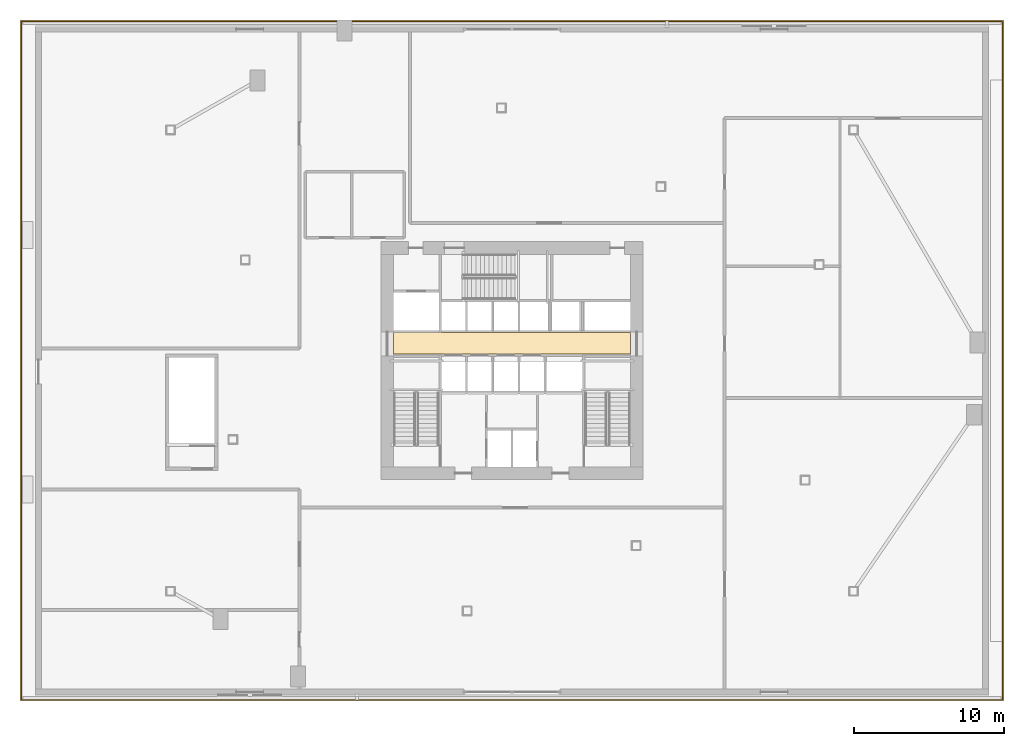
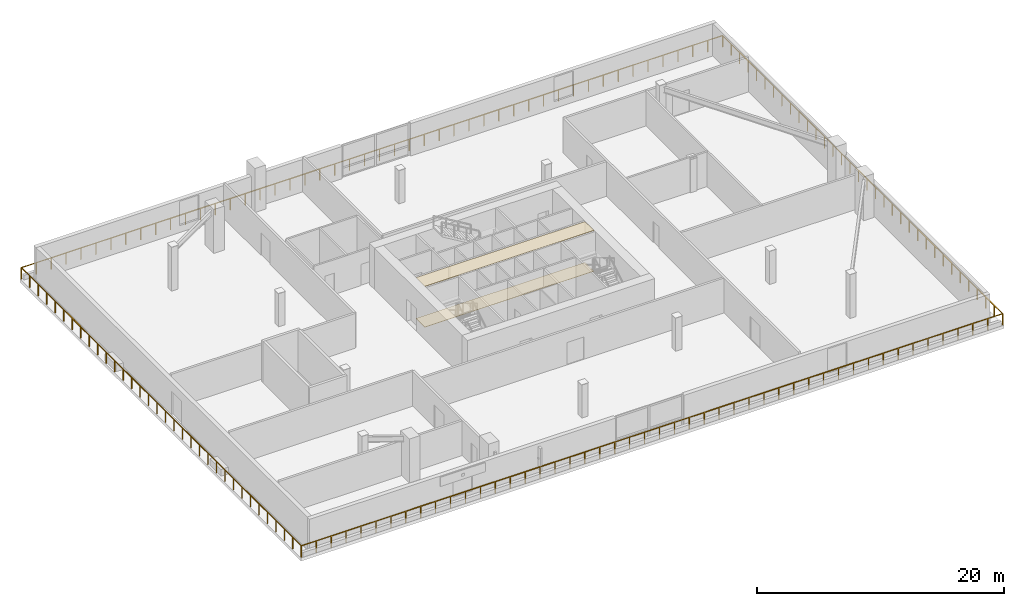
# One storey, part 14 of 16: 2 coverings, 2 railings.
"""IFC4 building model written with IfcOpenShell, lengths in metres."""

from ifc_helpers import new_model, si_unit, direction, frame, origin, origin_2d, place, context, subcontext, project, spatial, polyline, rectangle, outline, extrude, material, layer, layer_set, type_object, element, save


model = new_model("IFC4")

# Units and contexts
model_context = context("Model", 3, precision=1e-05, world=origin(), true_north=direction((0.0, 1.0)))
body_context = subcontext(model_context, "Body", "Model", "MODEL_VIEW")
ifc_project = project(units=[si_unit("LENGTHUNIT", "METRE"), si_unit("AREAUNIT", "SQUARE_METRE"), si_unit("VOLUMEUNIT", "CUBIC_METRE"), si_unit("PLANEANGLEUNIT", "RADIAN"), si_unit("MASSUNIT", "GRAM", prefix="KILO")], contexts=[model_context])

# Site, building, storey
site_placement = place(None, origin())
site = spatial("IfcSite", under=ifc_project, at=site_placement, CompositionType="ELEMENT")
building_placement = place(site_placement, origin())
building = spatial("IfcBuilding", under=site, at=building_placement, Name="Olszyna Solenne Hotel", CompositionType="ELEMENT")
storey_placement = place(building_placement, frame((0.0, 0.0, 20.10009765625)))
storey = spatial("IfcBuildingStorey", under=building, at=storey_placement, Name="L04", CompositionType="ELEMENT", Elevation=20.10009765625)

# Coverings
ifc_material_1 = material(Name="Mineral wool acoustic ceiling")
ifc_layer_1 = layer(ifc_material_1, 0.0400390625, Name="Mineral wool acoustic ceiling")
ifc_layer_set_1 = layer_set([ifc_layer_1], Name="Mineral wool acoustic ceiling")
covering_type_1 = type_object("IfcCoveringType", Name="CL-AC1", PredefinedType="CEILING", material=ifc_layer_set_1)
covering_1_placement = place(storey_placement, frame((0.0, 0.0, 4.02001953125)))
element("IfcCovering", 1, at=covering_1_placement, inside=storey, type_object=covering_type_1, Name="Lift lobby acoustic tile ceiling CL-L04-01", PredefinedType="CEILING", context=body_context, shape_type="SweptSolid", body=[
    extrude(outline(polyline([(30.10009765625, 27.030029296875), (45.89990234375, 27.030029296875), (45.89990234375, 28.4599609375), (30.10009765625, 28.4599609375), (30.10009765625, 27.030029296875)])), origin(), (0.0, 0.0, 1.0), 0.039794921875),
])
ifc_material_2 = material(Name="Ceramic floor tile")
ifc_layer_2 = layer(ifc_material_2, 0.030029296875, Name="Ceramic floor tile")
ifc_layer_set_2 = layer_set([ifc_layer_2], Name="Ceramic floor tile")
covering_type_2 = type_object("IfcCoveringType", Name="FL-TL1", PredefinedType="FLOORING", material=ifc_layer_set_2)
covering_2_placement = place(storey_placement, origin())
element("IfcCovering", 2, at=covering_2_placement, inside=storey, type_object=covering_type_2, Name="Lift lobby stoneware floor finish FLR-L04-01", PredefinedType="FLOORING", context=body_context, shape_type="SweptSolid", body=[
    extrude(outline(polyline([(30.10009765625, 27.030029296875), (45.89990234375, 27.030029296875), (45.89990234375, 28.4599609375), (30.10009765625, 28.4599609375), (30.10009765625, 27.030029296875)])), origin(), (0.0, 0.0, 1.0), 0.02978515625),
])

# Railings
ifc_material_3 = material(Name="Steel S355J2", Category="steel")
railing_type = type_object("IfcRailingType", Name="GR-115", PredefinedType="BALUSTRADE", material=ifc_material_3)
railing_1_placement = place(storey_placement, frame((5.22998046875, 49.260009765625, 0.0)))
element("IfcRailing", 3, at=railing_1_placement, inside=storey, type_object=railing_type, Name="Garden terrace perimeter guard balustrade GR-L04-T11", PredefinedType="BALUSTRADE", context=body_context, shape_type="SweptSolid", body=[
    extrude(rectangle(XDim=0.048095703125, YDim=0.048095703125, at=origin_2d()), frame((0.0, 0.0, 1.1259765625), z_axis=(1.0, 0.0, 0.0), x_axis=(0.0, 1.0, 0.0)), (0.0, 0.0, 1.0), 65.5400390625),
    extrude(rectangle(XDim=0.048095703125, YDim=0.048095703125, at=origin_2d()), frame((65.5400390625, 0.0, 1.1259765625), z_axis=(0.0, -1.0, 0.0), x_axis=(1.0, 0.0, 0.0)), (0.0, 0.0, 1.0), 45.320068359375),
    extrude(rectangle(XDim=0.0419921875, YDim=0.0419921875, at=origin_2d()), origin(), (0.0, 0.0, 1.0), 1.101806640625),
    extrude(rectangle(XDim=0.0419921875, YDim=0.0419921875, at=origin_2d()), frame((1.39453125, 0.0, 0.0)), (0.0, 0.0, 1.0), 1.101806640625),
    extrude(rectangle(XDim=0.0419921875, YDim=0.0419921875, at=origin_2d()), frame((2.788818359375, 0.0, 0.0)), (0.0, 0.0, 1.0), 1.101806640625),
    extrude(rectangle(XDim=0.0419921875, YDim=0.0419921875, at=origin_2d()), frame((4.183349609375, 0.0, 0.0)), (0.0, 0.0, 1.0), 1.101806640625),
    extrude(rectangle(XDim=0.0419921875, YDim=0.0419921875, at=origin_2d()), frame((5.577880859375, 0.0, 0.0)), (0.0, 0.0, 1.0), 1.101806640625),
    extrude(rectangle(XDim=0.0419921875, YDim=0.0419921875, at=origin_2d()), frame((6.972412109375, 0.0, 0.0)), (0.0, 0.0, 1.0), 1.101806640625),
    extrude(rectangle(XDim=0.0419921875, YDim=0.0419921875, at=origin_2d()), frame((8.36669921875, 0.0, 0.0)), (0.0, 0.0, 1.0), 1.101806640625),
    extrude(rectangle(XDim=0.0419921875, YDim=0.0419921875, at=origin_2d()), frame((9.76123046875, 0.0, 0.0)), (0.0, 0.0, 1.0), 1.101806640625),
    extrude(rectangle(XDim=0.0419921875, YDim=0.0419921875, at=origin_2d()), frame((11.15576171875, 0.0, 0.0)), (0.0, 0.0, 1.0), 1.101806640625),
    extrude(rectangle(XDim=0.0419921875, YDim=0.0419921875, at=origin_2d()), frame((12.55029296875, 0.0, 0.0)), (0.0, 0.0, 1.0), 1.101806640625),
    extrude(rectangle(XDim=0.0419921875, YDim=0.0419921875, at=origin_2d()), frame((13.944580078125, 0.0, 0.0)), (0.0, 0.0, 1.0), 1.101806640625),
    extrude(rectangle(XDim=0.0419921875, YDim=0.0419921875, at=origin_2d()), frame((15.339111328125, 0.0, 0.0)), (0.0, 0.0, 1.0), 1.101806640625),
    extrude(rectangle(XDim=0.0419921875, YDim=0.0419921875, at=origin_2d()), frame((16.733642578125, 0.0, 0.0)), (0.0, 0.0, 1.0), 1.101806640625),
    extrude(rectangle(XDim=0.0419921875, YDim=0.0419921875, at=origin_2d()), frame((18.128173828125, 0.0, 0.0)), (0.0, 0.0, 1.0), 1.101806640625),
    extrude(rectangle(XDim=0.0419921875, YDim=0.0419921875, at=origin_2d()), frame((19.5224609375, 0.0, 0.0)), (0.0, 0.0, 1.0), 1.101806640625),
    extrude(rectangle(XDim=0.0419921875, YDim=0.0419921875, at=origin_2d()), frame((20.9169921875, 0.0, 0.0)), (0.0, 0.0, 1.0), 1.101806640625),
    extrude(rectangle(XDim=0.0419921875, YDim=0.0419921875, at=origin_2d()), frame((22.3115234375, 0.0, 0.0)), (0.0, 0.0, 1.0), 1.101806640625),
    extrude(rectangle(XDim=0.0419921875, YDim=0.0419921875, at=origin_2d()), frame((23.7060546875, 0.0, 0.0)), (0.0, 0.0, 1.0), 1.101806640625),
    extrude(rectangle(XDim=0.0419921875, YDim=0.0419921875, at=origin_2d()), frame((25.100341796875, 0.0, 0.0)), (0.0, 0.0, 1.0), 1.101806640625),
    extrude(rectangle(XDim=0.0419921875, YDim=0.0419921875, at=origin_2d()), frame((26.494873046875, 0.0, 0.0)), (0.0, 0.0, 1.0), 1.101806640625),
    extrude(rectangle(XDim=0.0419921875, YDim=0.0419921875, at=origin_2d()), frame((27.889404296875, 0.0, 0.0)), (0.0, 0.0, 1.0), 1.101806640625),
    extrude(rectangle(XDim=0.0419921875, YDim=0.0419921875, at=origin_2d()), frame((29.283935546875, 0.0, 0.0)), (0.0, 0.0, 1.0), 1.101806640625),
    extrude(rectangle(XDim=0.0419921875, YDim=0.0419921875, at=origin_2d()), frame((30.67822265625, 0.0, 0.0)), (0.0, 0.0, 1.0), 1.101806640625),
    extrude(rectangle(XDim=0.0419921875, YDim=0.0419921875, at=origin_2d()), frame((32.07275390625, 0.0, 0.0)), (0.0, 0.0, 1.0), 1.101806640625),
    extrude(rectangle(XDim=0.0419921875, YDim=0.0419921875, at=origin_2d()), frame((33.46728515625, 0.0, 0.0)), (0.0, 0.0, 1.0), 1.101806640625),
    extrude(rectangle(XDim=0.0419921875, YDim=0.0419921875, at=origin_2d()), frame((34.86181640625, 0.0, 0.0)), (0.0, 0.0, 1.0), 1.101806640625),
    extrude(rectangle(XDim=0.0419921875, YDim=0.0419921875, at=origin_2d()), frame((36.256103515625, 0.0, 0.0)), (0.0, 0.0, 1.0), 1.101806640625),
    extrude(rectangle(XDim=0.0419921875, YDim=0.0419921875, at=origin_2d()), frame((37.650634765625, 0.0, 0.0)), (0.0, 0.0, 1.0), 1.101806640625),
    extrude(rectangle(XDim=0.0419921875, YDim=0.0419921875, at=origin_2d()), frame((39.045166015625, 0.0, 0.0)), (0.0, 0.0, 1.0), 1.101806640625),
    extrude(rectangle(XDim=0.0419921875, YDim=0.0419921875, at=origin_2d()), frame((40.439697265625, 0.0, 0.0)), (0.0, 0.0, 1.0), 1.101806640625),
    extrude(rectangle(XDim=0.0419921875, YDim=0.0419921875, at=origin_2d()), frame((41.833984375, 0.0, 0.0)), (0.0, 0.0, 1.0), 1.101806640625),
    extrude(rectangle(XDim=0.0419921875, YDim=0.0419921875, at=origin_2d()), frame((43.228515625, 0.0, 0.0)), (0.0, 0.0, 1.0), 1.101806640625),
    extrude(rectangle(XDim=0.0419921875, YDim=0.0419921875, at=origin_2d()), frame((44.623046875, 0.0, 0.0)), (0.0, 0.0, 1.0), 1.101806640625),
    extrude(rectangle(XDim=0.0419921875, YDim=0.0419921875, at=origin_2d()), frame((46.017578125, 0.0, 0.0)), (0.0, 0.0, 1.0), 1.101806640625),
    extrude(rectangle(XDim=0.0419921875, YDim=0.0419921875, at=origin_2d()), frame((47.411865234375, 0.0, 0.0)), (0.0, 0.0, 1.0), 1.101806640625),
    extrude(rectangle(XDim=0.0419921875, YDim=0.0419921875, at=origin_2d()), frame((48.806396484375, 0.0, 0.0)), (0.0, 0.0, 1.0), 1.101806640625),
    extrude(rectangle(XDim=0.0419921875, YDim=0.0419921875, at=origin_2d()), frame((50.200927734375, 0.0, 0.0)), (0.0, 0.0, 1.0), 1.101806640625),
    extrude(rectangle(XDim=0.0419921875, YDim=0.0419921875, at=origin_2d()), frame((51.595458984375, 0.0, 0.0)), (0.0, 0.0, 1.0), 1.101806640625),
    extrude(rectangle(XDim=0.0419921875, YDim=0.0419921875, at=origin_2d()), frame((52.98974609375, 0.0, 0.0)), (0.0, 0.0, 1.0), 1.101806640625),
    extrude(rectangle(XDim=0.0419921875, YDim=0.0419921875, at=origin_2d()), frame((54.38427734375, 0.0, 0.0)), (0.0, 0.0, 1.0), 1.101806640625),
    extrude(rectangle(XDim=0.0419921875, YDim=0.0419921875, at=origin_2d()), frame((55.77880859375, 0.0, 0.0)), (0.0, 0.0, 1.0), 1.101806640625),
    extrude(rectangle(XDim=0.0419921875, YDim=0.0419921875, at=origin_2d()), frame((57.17333984375, 0.0, 0.0)), (0.0, 0.0, 1.0), 1.101806640625),
    extrude(rectangle(XDim=0.0419921875, YDim=0.0419921875, at=origin_2d()), frame((58.567626953125, 0.0, 0.0)), (0.0, 0.0, 1.0), 1.101806640625),
    extrude(rectangle(XDim=0.0419921875, YDim=0.0419921875, at=origin_2d()), frame((59.962158203125, 0.0, 0.0)), (0.0, 0.0, 1.0), 1.101806640625),
    extrude(rectangle(XDim=0.0419921875, YDim=0.0419921875, at=origin_2d()), frame((61.356689453125, 0.0, 0.0)), (0.0, 0.0, 1.0), 1.101806640625),
    extrude(rectangle(XDim=0.0419921875, YDim=0.0419921875, at=origin_2d()), frame((62.751220703125, 0.0, 0.0)), (0.0, 0.0, 1.0), 1.101806640625),
    extrude(rectangle(XDim=0.0419921875, YDim=0.0419921875, at=origin_2d()), frame((64.1455078125, 0.0, 0.0)), (0.0, 0.0, 1.0), 1.101806640625),
    extrude(rectangle(XDim=0.0419921875, YDim=0.0419921875, at=origin_2d()), frame((65.5400390625, 0.0, 0.0)), (0.0, 0.0, 1.0), 1.101806640625),
    extrude(rectangle(XDim=0.0419921875, YDim=0.0419921875, at=origin_2d()), frame((65.5400390625, -1.373291015625, 0.0)), (0.0, 0.0, 1.0), 1.101806640625),
    extrude(rectangle(XDim=0.0419921875, YDim=0.0419921875, at=origin_2d()), frame((65.5400390625, -2.74658203125, 0.0)), (0.0, 0.0, 1.0), 1.101806640625),
    extrude(rectangle(XDim=0.0419921875, YDim=0.0419921875, at=origin_2d()), frame((65.5400390625, -4.1201171875, 0.0)), (0.0, 0.0, 1.0), 1.101806640625),
    extrude(rectangle(XDim=0.0419921875, YDim=0.0419921875, at=origin_2d()), frame((65.5400390625, -5.493408203125, 0.0)), (0.0, 0.0, 1.0), 1.101806640625),
    extrude(rectangle(XDim=0.0419921875, YDim=0.0419921875, at=origin_2d()), frame((65.5400390625, -6.86669921875, 0.0)), (0.0, 0.0, 1.0), 1.101806640625),
    extrude(rectangle(XDim=0.0419921875, YDim=0.0419921875, at=origin_2d()), frame((65.5400390625, -8.239990234375, 0.0)), (0.0, 0.0, 1.0), 1.101806640625),
    extrude(rectangle(XDim=0.0419921875, YDim=0.0419921875, at=origin_2d()), frame((65.5400390625, -9.61328125, 0.0)), (0.0, 0.0, 1.0), 1.101806640625),
    extrude(rectangle(XDim=0.0419921875, YDim=0.0419921875, at=origin_2d()), frame((65.5400390625, -10.986572265625, 0.0)), (0.0, 0.0, 1.0), 1.101806640625),
    extrude(rectangle(XDim=0.0419921875, YDim=0.0419921875, at=origin_2d()), frame((65.5400390625, -12.360107421875, 0.0)), (0.0, 0.0, 1.0), 1.101806640625),
    extrude(rectangle(XDim=0.0419921875, YDim=0.0419921875, at=origin_2d()), frame((65.5400390625, -13.7333984375, 0.0)), (0.0, 0.0, 1.0), 1.101806640625),
    extrude(rectangle(XDim=0.0419921875, YDim=0.0419921875, at=origin_2d()), frame((65.5400390625, -15.106689453125, 0.0)), (0.0, 0.0, 1.0), 1.101806640625),
    extrude(rectangle(XDim=0.0419921875, YDim=0.0419921875, at=origin_2d()), frame((65.5400390625, -16.47998046875, 0.0)), (0.0, 0.0, 1.0), 1.101806640625),
    extrude(rectangle(XDim=0.0419921875, YDim=0.0419921875, at=origin_2d()), frame((65.5400390625, -17.853271484375, 0.0)), (0.0, 0.0, 1.0), 1.101806640625),
    extrude(rectangle(XDim=0.0419921875, YDim=0.0419921875, at=origin_2d()), frame((65.5400390625, -19.226806640625, 0.0)), (0.0, 0.0, 1.0), 1.101806640625),
    extrude(rectangle(XDim=0.0419921875, YDim=0.0419921875, at=origin_2d()), frame((65.5400390625, -20.60009765625, 0.0)), (0.0, 0.0, 1.0), 1.101806640625),
    extrude(rectangle(XDim=0.0419921875, YDim=0.0419921875, at=origin_2d()), frame((65.5400390625, -21.973388671875, 0.0)), (0.0, 0.0, 1.0), 1.101806640625),
    extrude(rectangle(XDim=0.0419921875, YDim=0.0419921875, at=origin_2d()), frame((65.5400390625, -23.3466796875, 0.0)), (0.0, 0.0, 1.0), 1.101806640625),
    extrude(rectangle(XDim=0.0419921875, YDim=0.0419921875, at=origin_2d()), frame((65.5400390625, -24.719970703125, 0.0)), (0.0, 0.0, 1.0), 1.101806640625),
    extrude(rectangle(XDim=0.0419921875, YDim=0.0419921875, at=origin_2d()), frame((65.5400390625, -26.09326171875, 0.0)), (0.0, 0.0, 1.0), 1.101806640625),
    extrude(rectangle(XDim=0.0419921875, YDim=0.0419921875, at=origin_2d()), frame((65.5400390625, -27.466796875, 0.0)), (0.0, 0.0, 1.0), 1.101806640625),
    extrude(rectangle(XDim=0.0419921875, YDim=0.0419921875, at=origin_2d()), frame((65.5400390625, -28.840087890625, 0.0)), (0.0, 0.0, 1.0), 1.101806640625),
    extrude(rectangle(XDim=0.0419921875, YDim=0.0419921875, at=origin_2d()), frame((65.5400390625, -30.21337890625, 0.0)), (0.0, 0.0, 1.0), 1.101806640625),
    extrude(rectangle(XDim=0.0419921875, YDim=0.0419921875, at=origin_2d()), frame((65.5400390625, -31.586669921875, 0.0)), (0.0, 0.0, 1.0), 1.101806640625),
    extrude(rectangle(XDim=0.0419921875, YDim=0.0419921875, at=origin_2d()), frame((65.5400390625, -32.9599609375, 0.0)), (0.0, 0.0, 1.0), 1.101806640625),
    extrude(rectangle(XDim=0.0419921875, YDim=0.0419921875, at=origin_2d()), frame((65.5400390625, -34.33349609375, 0.0)), (0.0, 0.0, 1.0), 1.101806640625),
    extrude(rectangle(XDim=0.0419921875, YDim=0.0419921875, at=origin_2d()), frame((65.5400390625, -35.706787109375, 0.0)), (0.0, 0.0, 1.0), 1.101806640625),
    extrude(rectangle(XDim=0.0419921875, YDim=0.0419921875, at=origin_2d()), frame((65.5400390625, -37.080078125, 0.0)), (0.0, 0.0, 1.0), 1.101806640625),
    extrude(rectangle(XDim=0.0419921875, YDim=0.0419921875, at=origin_2d()), frame((65.5400390625, -38.453369140625, 0.0)), (0.0, 0.0, 1.0), 1.101806640625),
    extrude(rectangle(XDim=0.0419921875, YDim=0.0419921875, at=origin_2d()), frame((65.5400390625, -39.82666015625, 0.0)), (0.0, 0.0, 1.0), 1.101806640625),
    extrude(rectangle(XDim=0.0419921875, YDim=0.0419921875, at=origin_2d()), frame((65.5400390625, -41.199951171875, 0.0)), (0.0, 0.0, 1.0), 1.101806640625),
    extrude(rectangle(XDim=0.0419921875, YDim=0.0419921875, at=origin_2d()), frame((65.5400390625, -42.573486328125, 0.0)), (0.0, 0.0, 1.0), 1.101806640625),
    extrude(rectangle(XDim=0.0419921875, YDim=0.0419921875, at=origin_2d()), frame((65.5400390625, -43.94677734375, 0.0)), (0.0, 0.0, 1.0), 1.101806640625),
    extrude(rectangle(XDim=0.0419921875, YDim=0.0419921875, at=origin_2d()), frame((65.5400390625, -45.320068359375, 0.0)), (0.0, 0.0, 1.0), 1.101806640625),
])
railing_2_placement = place(storey_placement, frame((70.77001953125, 3.93994140625, 0.0)))
element("IfcRailing", 4, at=railing_2_placement, inside=storey, type_object=railing_type, Name="Garden terrace perimeter guard balustrade GR-L04-T12", PredefinedType="BALUSTRADE", context=body_context, shape_type="SweptSolid", body=[
    extrude(rectangle(XDim=0.048095703125, YDim=0.048095703125, at=origin_2d()), frame((0.0, 0.0, 1.1259765625), z_axis=(-1.0, 0.0, 0.0), x_axis=(0.0, -1.0, 0.0)), (0.0, 0.0, 1.0), 65.5400390625),
    extrude(rectangle(XDim=0.048095703125, YDim=0.048095703125, at=origin_2d()), frame((-65.5400390625, 0.0, 1.1259765625), z_axis=(0.0, 1.0, 0.0), x_axis=(-1.0, 0.0, 0.0)), (0.0, 0.0, 1.0), 45.320068359375),
    extrude(rectangle(XDim=0.0419921875, YDim=0.0419921875, at=origin_2d()), origin(), (0.0, 0.0, 1.0), 1.101806640625),
    extrude(rectangle(XDim=0.0419921875, YDim=0.0419921875, at=origin_2d()), frame((-1.39453125, 0.0, 0.0)), (0.0, 0.0, 1.0), 1.101806640625),
    extrude(rectangle(XDim=0.0419921875, YDim=0.0419921875, at=origin_2d()), frame((-2.788818359375, 0.0, 0.0)), (0.0, 0.0, 1.0), 1.101806640625),
    extrude(rectangle(XDim=0.0419921875, YDim=0.0419921875, at=origin_2d()), frame((-4.183349609375, 0.0, 0.0)), (0.0, 0.0, 1.0), 1.101806640625),
    extrude(rectangle(XDim=0.0419921875, YDim=0.0419921875, at=origin_2d()), frame((-5.577880859375, 0.0, 0.0)), (0.0, 0.0, 1.0), 1.101806640625),
    extrude(rectangle(XDim=0.0419921875, YDim=0.0419921875, at=origin_2d()), frame((-6.972412109375, 0.0, 0.0)), (0.0, 0.0, 1.0), 1.101806640625),
    extrude(rectangle(XDim=0.0419921875, YDim=0.0419921875, at=origin_2d()), frame((-8.36669921875, 0.0, 0.0)), (0.0, 0.0, 1.0), 1.101806640625),
    extrude(rectangle(XDim=0.0419921875, YDim=0.0419921875, at=origin_2d()), frame((-9.76123046875, 0.0, 0.0)), (0.0, 0.0, 1.0), 1.101806640625),
    extrude(rectangle(XDim=0.0419921875, YDim=0.0419921875, at=origin_2d()), frame((-11.15576171875, 0.0, 0.0)), (0.0, 0.0, 1.0), 1.101806640625),
    extrude(rectangle(XDim=0.0419921875, YDim=0.0419921875, at=origin_2d()), frame((-12.55029296875, 0.0, 0.0)), (0.0, 0.0, 1.0), 1.101806640625),
    extrude(rectangle(XDim=0.0419921875, YDim=0.0419921875, at=origin_2d()), frame((-13.944580078125, 0.0, 0.0)), (0.0, 0.0, 1.0), 1.101806640625),
    extrude(rectangle(XDim=0.0419921875, YDim=0.0419921875, at=origin_2d()), frame((-15.339111328125, 0.0, 0.0)), (0.0, 0.0, 1.0), 1.101806640625),
    extrude(rectangle(XDim=0.0419921875, YDim=0.0419921875, at=origin_2d()), frame((-16.733642578125, 0.0, 0.0)), (0.0, 0.0, 1.0), 1.101806640625),
    extrude(rectangle(XDim=0.0419921875, YDim=0.0419921875, at=origin_2d()), frame((-18.128173828125, 0.0, 0.0)), (0.0, 0.0, 1.0), 1.101806640625),
    extrude(rectangle(XDim=0.0419921875, YDim=0.0419921875, at=origin_2d()), frame((-19.5224609375, 0.0, 0.0)), (0.0, 0.0, 1.0), 1.101806640625),
    extrude(rectangle(XDim=0.0419921875, YDim=0.0419921875, at=origin_2d()), frame((-20.9169921875, 0.0, 0.0)), (0.0, 0.0, 1.0), 1.101806640625),
    extrude(rectangle(XDim=0.0419921875, YDim=0.0419921875, at=origin_2d()), frame((-22.3115234375, 0.0, 0.0)), (0.0, 0.0, 1.0), 1.101806640625),
    extrude(rectangle(XDim=0.0419921875, YDim=0.0419921875, at=origin_2d()), frame((-23.7060546875, 0.0, 0.0)), (0.0, 0.0, 1.0), 1.101806640625),
    extrude(rectangle(XDim=0.0419921875, YDim=0.0419921875, at=origin_2d()), frame((-25.100341796875, 0.0, 0.0)), (0.0, 0.0, 1.0), 1.101806640625),
    extrude(rectangle(XDim=0.0419921875, YDim=0.0419921875, at=origin_2d()), frame((-26.494873046875, 0.0, 0.0)), (0.0, 0.0, 1.0), 1.101806640625),
    extrude(rectangle(XDim=0.0419921875, YDim=0.0419921875, at=origin_2d()), frame((-27.889404296875, 0.0, 0.0)), (0.0, 0.0, 1.0), 1.101806640625),
    extrude(rectangle(XDim=0.0419921875, YDim=0.0419921875, at=origin_2d()), frame((-29.283935546875, 0.0, 0.0)), (0.0, 0.0, 1.0), 1.101806640625),
    extrude(rectangle(XDim=0.0419921875, YDim=0.0419921875, at=origin_2d()), frame((-30.67822265625, 0.0, 0.0)), (0.0, 0.0, 1.0), 1.101806640625),
    extrude(rectangle(XDim=0.0419921875, YDim=0.0419921875, at=origin_2d()), frame((-32.07275390625, 0.0, 0.0)), (0.0, 0.0, 1.0), 1.101806640625),
    extrude(rectangle(XDim=0.0419921875, YDim=0.0419921875, at=origin_2d()), frame((-33.46728515625, 0.0, 0.0)), (0.0, 0.0, 1.0), 1.101806640625),
    extrude(rectangle(XDim=0.0419921875, YDim=0.0419921875, at=origin_2d()), frame((-34.86181640625, 0.0, 0.0)), (0.0, 0.0, 1.0), 1.101806640625),
    extrude(rectangle(XDim=0.0419921875, YDim=0.0419921875, at=origin_2d()), frame((-36.256103515625, 0.0, 0.0)), (0.0, 0.0, 1.0), 1.101806640625),
    extrude(rectangle(XDim=0.0419921875, YDim=0.0419921875, at=origin_2d()), frame((-37.650634765625, 0.0, 0.0)), (0.0, 0.0, 1.0), 1.101806640625),
    extrude(rectangle(XDim=0.0419921875, YDim=0.0419921875, at=origin_2d()), frame((-39.045166015625, 0.0, 0.0)), (0.0, 0.0, 1.0), 1.101806640625),
    extrude(rectangle(XDim=0.0419921875, YDim=0.0419921875, at=origin_2d()), frame((-40.439697265625, 0.0, 0.0)), (0.0, 0.0, 1.0), 1.101806640625),
    extrude(rectangle(XDim=0.0419921875, YDim=0.0419921875, at=origin_2d()), frame((-41.833984375, 0.0, 0.0)), (0.0, 0.0, 1.0), 1.101806640625),
    extrude(rectangle(XDim=0.0419921875, YDim=0.0419921875, at=origin_2d()), frame((-43.228515625, 0.0, 0.0)), (0.0, 0.0, 1.0), 1.101806640625),
    extrude(rectangle(XDim=0.0419921875, YDim=0.0419921875, at=origin_2d()), frame((-44.623046875, 0.0, 0.0)), (0.0, 0.0, 1.0), 1.101806640625),
    extrude(rectangle(XDim=0.0419921875, YDim=0.0419921875, at=origin_2d()), frame((-46.017578125, 0.0, 0.0)), (0.0, 0.0, 1.0), 1.101806640625),
    extrude(rectangle(XDim=0.0419921875, YDim=0.0419921875, at=origin_2d()), frame((-47.411865234375, 0.0, 0.0)), (0.0, 0.0, 1.0), 1.101806640625),
    extrude(rectangle(XDim=0.0419921875, YDim=0.0419921875, at=origin_2d()), frame((-48.806396484375, 0.0, 0.0)), (0.0, 0.0, 1.0), 1.101806640625),
    extrude(rectangle(XDim=0.0419921875, YDim=0.0419921875, at=origin_2d()), frame((-50.200927734375, 0.0, 0.0)), (0.0, 0.0, 1.0), 1.101806640625),
    extrude(rectangle(XDim=0.0419921875, YDim=0.0419921875, at=origin_2d()), frame((-51.595458984375, 0.0, 0.0)), (0.0, 0.0, 1.0), 1.101806640625),
    extrude(rectangle(XDim=0.0419921875, YDim=0.0419921875, at=origin_2d()), frame((-52.98974609375, 0.0, 0.0)), (0.0, 0.0, 1.0), 1.101806640625),
    extrude(rectangle(XDim=0.0419921875, YDim=0.0419921875, at=origin_2d()), frame((-54.38427734375, 0.0, 0.0)), (0.0, 0.0, 1.0), 1.101806640625),
    extrude(rectangle(XDim=0.0419921875, YDim=0.0419921875, at=origin_2d()), frame((-55.77880859375, 0.0, 0.0)), (0.0, 0.0, 1.0), 1.101806640625),
    extrude(rectangle(XDim=0.0419921875, YDim=0.0419921875, at=origin_2d()), frame((-57.17333984375, 0.0, 0.0)), (0.0, 0.0, 1.0), 1.101806640625),
    extrude(rectangle(XDim=0.0419921875, YDim=0.0419921875, at=origin_2d()), frame((-58.567626953125, 0.0, 0.0)), (0.0, 0.0, 1.0), 1.101806640625),
    extrude(rectangle(XDim=0.0419921875, YDim=0.0419921875, at=origin_2d()), frame((-59.962158203125, 0.0, 0.0)), (0.0, 0.0, 1.0), 1.101806640625),
    extrude(rectangle(XDim=0.0419921875, YDim=0.0419921875, at=origin_2d()), frame((-61.356689453125, 0.0, 0.0)), (0.0, 0.0, 1.0), 1.101806640625),
    extrude(rectangle(XDim=0.0419921875, YDim=0.0419921875, at=origin_2d()), frame((-62.751220703125, 0.0, 0.0)), (0.0, 0.0, 1.0), 1.101806640625),
    extrude(rectangle(XDim=0.0419921875, YDim=0.0419921875, at=origin_2d()), frame((-64.1455078125, 0.0, 0.0)), (0.0, 0.0, 1.0), 1.101806640625),
    extrude(rectangle(XDim=0.0419921875, YDim=0.0419921875, at=origin_2d()), frame((-65.5400390625, 0.0, 0.0)), (0.0, 0.0, 1.0), 1.101806640625),
    extrude(rectangle(XDim=0.0419921875, YDim=0.0419921875, at=origin_2d()), frame((-65.5400390625, 1.373291015625, 0.0)), (0.0, 0.0, 1.0), 1.101806640625),
    extrude(rectangle(XDim=0.0419921875, YDim=0.0419921875, at=origin_2d()), frame((-65.5400390625, 2.74658203125, 0.0)), (0.0, 0.0, 1.0), 1.101806640625),
    extrude(rectangle(XDim=0.0419921875, YDim=0.0419921875, at=origin_2d()), frame((-65.5400390625, 4.1201171875, 0.0)), (0.0, 0.0, 1.0), 1.101806640625),
    extrude(rectangle(XDim=0.0419921875, YDim=0.0419921875, at=origin_2d()), frame((-65.5400390625, 5.493408203125, 0.0)), (0.0, 0.0, 1.0), 1.101806640625),
    extrude(rectangle(XDim=0.0419921875, YDim=0.0419921875, at=origin_2d()), frame((-65.5400390625, 6.86669921875, 0.0)), (0.0, 0.0, 1.0), 1.101806640625),
    extrude(rectangle(XDim=0.0419921875, YDim=0.0419921875, at=origin_2d()), frame((-65.5400390625, 8.239990234375, 0.0)), (0.0, 0.0, 1.0), 1.101806640625),
    extrude(rectangle(XDim=0.0419921875, YDim=0.0419921875, at=origin_2d()), frame((-65.5400390625, 9.61328125, 0.0)), (0.0, 0.0, 1.0), 1.101806640625),
    extrude(rectangle(XDim=0.0419921875, YDim=0.0419921875, at=origin_2d()), frame((-65.5400390625, 10.986572265625, 0.0)), (0.0, 0.0, 1.0), 1.101806640625),
    extrude(rectangle(XDim=0.0419921875, YDim=0.0419921875, at=origin_2d()), frame((-65.5400390625, 12.360107421875, 0.0)), (0.0, 0.0, 1.0), 1.101806640625),
    extrude(rectangle(XDim=0.0419921875, YDim=0.0419921875, at=origin_2d()), frame((-65.5400390625, 13.7333984375, 0.0)), (0.0, 0.0, 1.0), 1.101806640625),
    extrude(rectangle(XDim=0.0419921875, YDim=0.0419921875, at=origin_2d()), frame((-65.5400390625, 15.106689453125, 0.0)), (0.0, 0.0, 1.0), 1.101806640625),
    extrude(rectangle(XDim=0.0419921875, YDim=0.0419921875, at=origin_2d()), frame((-65.5400390625, 16.47998046875, 0.0)), (0.0, 0.0, 1.0), 1.101806640625),
    extrude(rectangle(XDim=0.0419921875, YDim=0.0419921875, at=origin_2d()), frame((-65.5400390625, 17.853271484375, 0.0)), (0.0, 0.0, 1.0), 1.101806640625),
    extrude(rectangle(XDim=0.0419921875, YDim=0.0419921875, at=origin_2d()), frame((-65.5400390625, 19.226806640625, 0.0)), (0.0, 0.0, 1.0), 1.101806640625),
    extrude(rectangle(XDim=0.0419921875, YDim=0.0419921875, at=origin_2d()), frame((-65.5400390625, 20.60009765625, 0.0)), (0.0, 0.0, 1.0), 1.101806640625),
    extrude(rectangle(XDim=0.0419921875, YDim=0.0419921875, at=origin_2d()), frame((-65.5400390625, 21.973388671875, 0.0)), (0.0, 0.0, 1.0), 1.101806640625),
    extrude(rectangle(XDim=0.0419921875, YDim=0.0419921875, at=origin_2d()), frame((-65.5400390625, 23.3466796875, 0.0)), (0.0, 0.0, 1.0), 1.101806640625),
    extrude(rectangle(XDim=0.0419921875, YDim=0.0419921875, at=origin_2d()), frame((-65.5400390625, 24.719970703125, 0.0)), (0.0, 0.0, 1.0), 1.101806640625),
    extrude(rectangle(XDim=0.0419921875, YDim=0.0419921875, at=origin_2d()), frame((-65.5400390625, 26.09326171875, 0.0)), (0.0, 0.0, 1.0), 1.101806640625),
    extrude(rectangle(XDim=0.0419921875, YDim=0.0419921875, at=origin_2d()), frame((-65.5400390625, 27.466796875, 0.0)), (0.0, 0.0, 1.0), 1.101806640625),
    extrude(rectangle(XDim=0.0419921875, YDim=0.0419921875, at=origin_2d()), frame((-65.5400390625, 28.840087890625, 0.0)), (0.0, 0.0, 1.0), 1.101806640625),
    extrude(rectangle(XDim=0.0419921875, YDim=0.0419921875, at=origin_2d()), frame((-65.5400390625, 30.21337890625, 0.0)), (0.0, 0.0, 1.0), 1.101806640625),
    extrude(rectangle(XDim=0.0419921875, YDim=0.0419921875, at=origin_2d()), frame((-65.5400390625, 31.586669921875, 0.0)), (0.0, 0.0, 1.0), 1.101806640625),
    extrude(rectangle(XDim=0.0419921875, YDim=0.0419921875, at=origin_2d()), frame((-65.5400390625, 32.9599609375, 0.0)), (0.0, 0.0, 1.0), 1.101806640625),
    extrude(rectangle(XDim=0.0419921875, YDim=0.0419921875, at=origin_2d()), frame((-65.5400390625, 34.33349609375, 0.0)), (0.0, 0.0, 1.0), 1.101806640625),
    extrude(rectangle(XDim=0.0419921875, YDim=0.0419921875, at=origin_2d()), frame((-65.5400390625, 35.706787109375, 0.0)), (0.0, 0.0, 1.0), 1.101806640625),
    extrude(rectangle(XDim=0.0419921875, YDim=0.0419921875, at=origin_2d()), frame((-65.5400390625, 37.080078125, 0.0)), (0.0, 0.0, 1.0), 1.101806640625),
    extrude(rectangle(XDim=0.0419921875, YDim=0.0419921875, at=origin_2d()), frame((-65.5400390625, 38.453369140625, 0.0)), (0.0, 0.0, 1.0), 1.101806640625),
    extrude(rectangle(XDim=0.0419921875, YDim=0.0419921875, at=origin_2d()), frame((-65.5400390625, 39.82666015625, 0.0)), (0.0, 0.0, 1.0), 1.101806640625),
    extrude(rectangle(XDim=0.0419921875, YDim=0.0419921875, at=origin_2d()), frame((-65.5400390625, 41.199951171875, 0.0)), (0.0, 0.0, 1.0), 1.101806640625),
    extrude(rectangle(XDim=0.0419921875, YDim=0.0419921875, at=origin_2d()), frame((-65.5400390625, 42.573486328125, 0.0)), (0.0, 0.0, 1.0), 1.101806640625),
    extrude(rectangle(XDim=0.0419921875, YDim=0.0419921875, at=origin_2d()), frame((-65.5400390625, 43.94677734375, 0.0)), (0.0, 0.0, 1.0), 1.101806640625),
    extrude(rectangle(XDim=0.0419921875, YDim=0.0419921875, at=origin_2d()), frame((-65.5400390625, 45.320068359375, 0.0)), (0.0, 0.0, 1.0), 1.101806640625),
])

save(model, "model.ifc")
